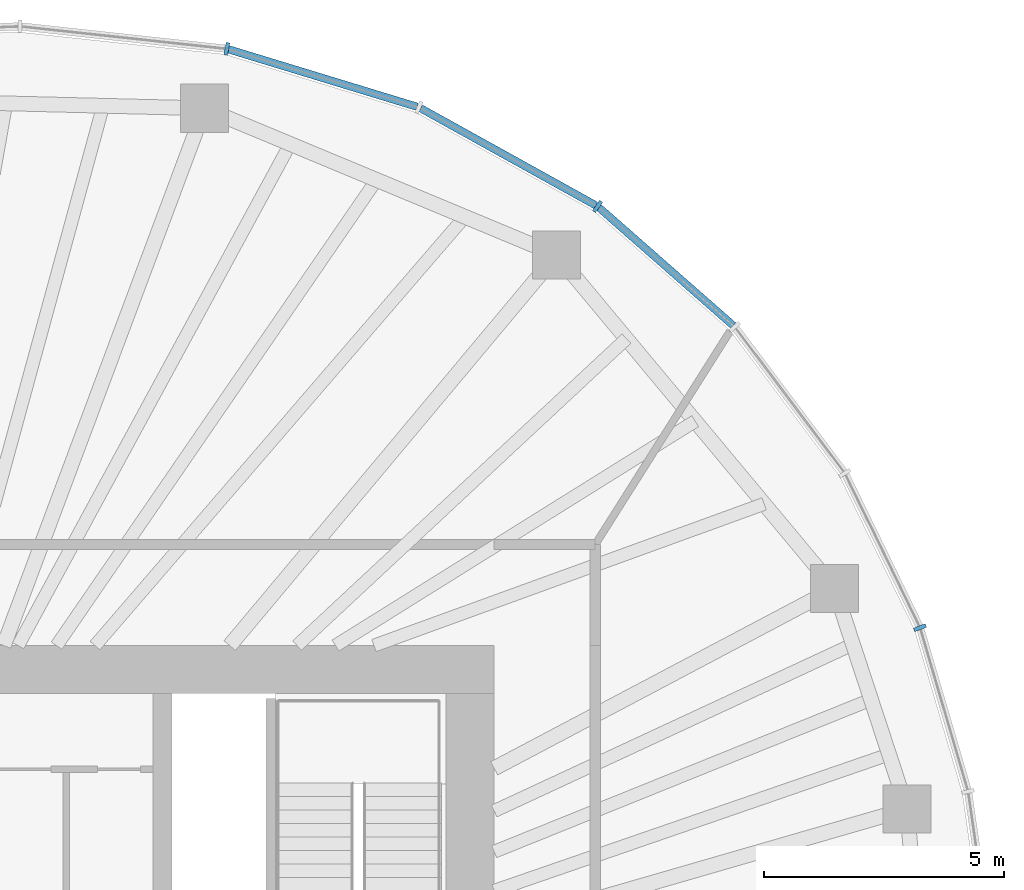
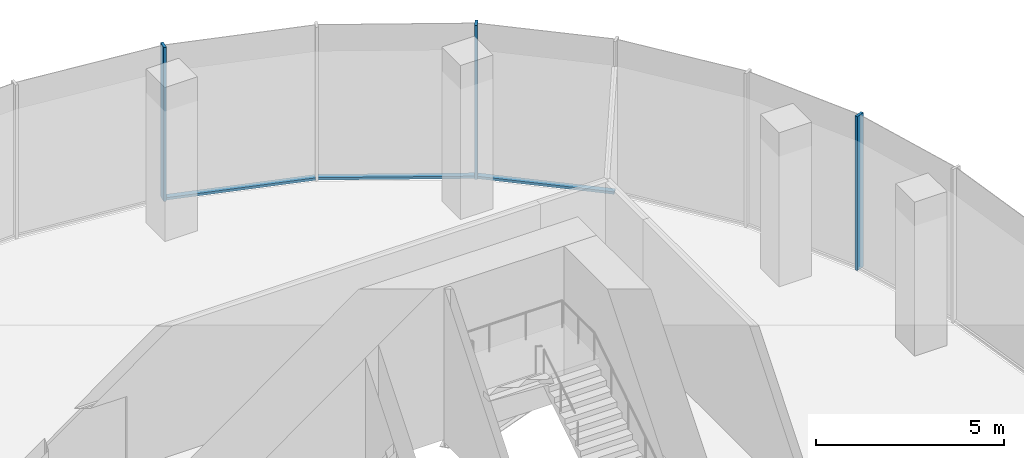
# One storey, part 6 of 11: 6 members, 4 elements without a shape of their own.
"""IFC4 building model written with IfcOpenShell, lengths in metres."""

from ifc_helpers import new_model, si_unit, direction, frame, origin, origin_2d, place, context, subcontext, project, spatial, rectangle, extrude, material, material_profile, profile_set, type_object, element, aggregate, save


model = new_model("IFC4")

# Units and contexts
model_context = context("Model", 3, precision=1e-05, world=origin(), true_north=direction((0.0, 1.0)))
body_context = subcontext(model_context, "Body", "Model", "MODEL_VIEW")
ifc_project = project(units=[si_unit("LENGTHUNIT", "METRE"), si_unit("AREAUNIT", "SQUARE_METRE"), si_unit("VOLUMEUNIT", "CUBIC_METRE"), si_unit("PLANEANGLEUNIT", "RADIAN"), si_unit("MASSUNIT", "GRAM", prefix="KILO")], contexts=[model_context])

# Site, building, storey
site_placement = place(None, origin())
site = spatial("IfcSite", under=ifc_project, at=site_placement, CompositionType="ELEMENT")
building_placement = place(site_placement, origin())
building = spatial("IfcBuilding", under=site, at=building_placement, Name="Ghaith Harvest Tower", CompositionType="ELEMENT")
storey_placement = place(building_placement, frame((0.0, 0.0, 344.199951171875)))
storey = spatial("IfcBuildingStorey", under=building, at=storey_placement, Name="L77", CompositionType="ELEMENT", Elevation=344.199951171875)

# Curtain wall, member
ifc_material_1 = material(Name="Black anodised aluminium and fritted glass", Category="aluminium")
curtain_wall_type = type_object("IfcCurtainWallType", Name="CW-C CURTAIN WALL", PredefinedType="NOTDEFINED", material=ifc_material_1)
curtain_wall_1_placement = place(storey_placement, origin())
curtain_wall_1 = element("IfcCurtainWall", 1, at=curtain_wall_1_placement, inside=storey, type_object=curtain_wall_type, Name="Curtain wall CW-C bay 02 L77", PredefinedType="NOTDEFINED")
ifc_material_2 = material(Name="Aluminium, black anodised", Category="aluminium")
ifc_material_profile_1 = material_profile(ifc_material_2, rectangle(XDim=0.080078125, YDim=0.260009765625, at=origin_2d()), Name="CW-C MULLION 80x260")
ifc_profile_set_1 = profile_set([ifc_material_profile_1], Name="Aluminium, black anodised")
member_type_1 = type_object("IfcMemberType", Name="CW-C MULLION 80x260", PredefinedType="MULLION", material=ifc_profile_set_1)
member_1_placement = place(storey_placement, frame((22.754150390625, 10.272216796875, 0.0), z_axis=(0.0, 0.0, 1.0), x_axis=(-0.361184273709, 0.932494461338, 0.0)))
member_1 = element("IfcMember", 2, at=member_1_placement, type_object=member_type_1, Name="CW-C mullion 2 bay 02 L77", PredefinedType="MULLION", context=body_context, shape_type="SweptSolid", body=[
    extrude(rectangle(XDim=0.080078125, YDim=0.260009765625, at=origin_2d()), origin(), (0.0, 0.0, 1.0), 5.0),
])
aggregate(curtain_wall_1, [member_1])

curtain_wall_2_placement = place(storey_placement, origin())
curtain_wall_2 = element("IfcCurtainWall", 3, at=curtain_wall_2_placement, inside=storey, type_object=curtain_wall_type, Name="Curtain wall CW-C bay 04 L77", PredefinedType="NOTDEFINED")
member_2_placement = place(storey_placement, frame((16.04931640625, 19.031982421875, 0.0), z_axis=(0.0, 0.0, 1.0), x_axis=(-0.821112053873, 0.570767023385, 0.0)))
member_2 = element("IfcMember", 4, at=member_2_placement, type_object=member_type_1, Name="CW-C mullion 1 bay 04 L77", PredefinedType="MULLION", context=body_context, shape_type="SweptSolid", body=[
    extrude(rectangle(XDim=0.080078125, YDim=0.260009765625, at=origin_2d()), origin(), (0.0, 0.0, 1.0), 5.0),
])

curtain_wall_3_placement = place(storey_placement, origin())
curtain_wall_3 = element("IfcCurtainWall", 5, at=curtain_wall_3_placement, inside=storey, type_object=curtain_wall_type, Name="Curtain wall CW-C bay 05 L77", PredefinedType="NOTDEFINED")
member_3_placement = place(storey_placement, frame((8.33984375, 22.308837890625, 0.0), z_axis=(0.0, 0.0, 1.0), x_axis=(-0.980000193436, 0.198996534809, 0.0)))
member_3 = element("IfcMember", 6, at=member_3_placement, type_object=member_type_1, Name="CW-C mullion 1 bay 05 L77", PredefinedType="MULLION", context=body_context, shape_type="SweptSolid", body=[
    extrude(rectangle(XDim=0.080078125, YDim=0.260009765625, at=origin_2d()), origin(), (0.0, 0.0, 1.0), 5.0),
])
aggregate(curtain_wall_3, [member_3])

curtain_wall_4_placement = place(storey_placement, origin())
curtain_wall_4 = element("IfcCurtainWall", 7, at=curtain_wall_4_placement, inside=storey, type_object=curtain_wall_type, Name="Curtain wall CW-C bay 03 L77", PredefinedType="NOTDEFINED")
ifc_material_3 = material(Name="Aluminium, black anodised", Category="aluminium")
ifc_material_profile_2 = material_profile(ifc_material_3, rectangle(XDim=0.159912109375, YDim=0.080078125, at=origin_2d()), Name="CW-C TRANSOM 160x80")
ifc_profile_set_2 = profile_set([ifc_material_profile_2], Name="Aluminium, black anodised")
member_type_2 = type_object("IfcMemberType", Name="CW-C TRANSOM 160x80", PredefinedType="USERDEFINED", material=ifc_profile_set_2)
member_4_placement = place(storey_placement, frame((18.87109375, 16.553466796875, 0.0400390625), z_axis=(-0.751325799984, 0.659931467865, 0.0), x_axis=(-0.659931467865, -0.751325799984, 0.0)))
member_4 = element("IfcMember", 8, at=member_4_placement, type_object=member_type_2, Name="CW-C transom 2 bay 03 L77", ObjectType="TRANSOM", PredefinedType="USERDEFINED", context=body_context, shape_type="SweptSolid", body=[
    extrude(rectangle(XDim=0.159912109375, YDim=0.080078125, at=origin_2d()), origin(), (0.0, 0.0, 1.0), 3.7158203125),
])
aggregate(curtain_wall_4, [member_4])

# Member
member_5_placement = place(storey_placement, frame((16.01416015625, 19.051513671875, 0.0400390625), z_axis=(-0.874552130553, 0.484931511603, 0.0), x_axis=(-0.484931511603, -0.874552130553, 0.0)))
member_5 = element("IfcMember", 9, at=member_5_placement, type_object=member_type_2, Name="CW-C transom 1 bay 04 L77", ObjectType="TRANSOM", PredefinedType="USERDEFINED", context=body_context, shape_type="SweptSolid", body=[
    extrude(rectangle(XDim=0.159912109375, YDim=0.080078125, at=origin_2d()), origin(), (0.0, 0.0, 1.0), 4.16748046875),
])

member_6_placement = place(storey_placement, frame((12.296142578125, 21.103515625, 0.0400390625), z_axis=(-0.956593713342, 0.291424891858, 0.0), x_axis=(-0.291424891858, -0.956593713342, 0.0)))
member_6 = element("IfcMember", 10, at=member_6_placement, type_object=member_type_2, Name="CW-C transom 2 bay 04 L77", ObjectType="TRANSOM", PredefinedType="USERDEFINED", context=body_context, shape_type="SweptSolid", body=[
    extrude(rectangle(XDim=0.159912109375, YDim=0.080078125, at=origin_2d()), origin(), (0.0, 0.0, 1.0), 4.095703125),
])

aggregate(curtain_wall_2, [member_2, member_5, member_6])

save(model, "model.ifc")
